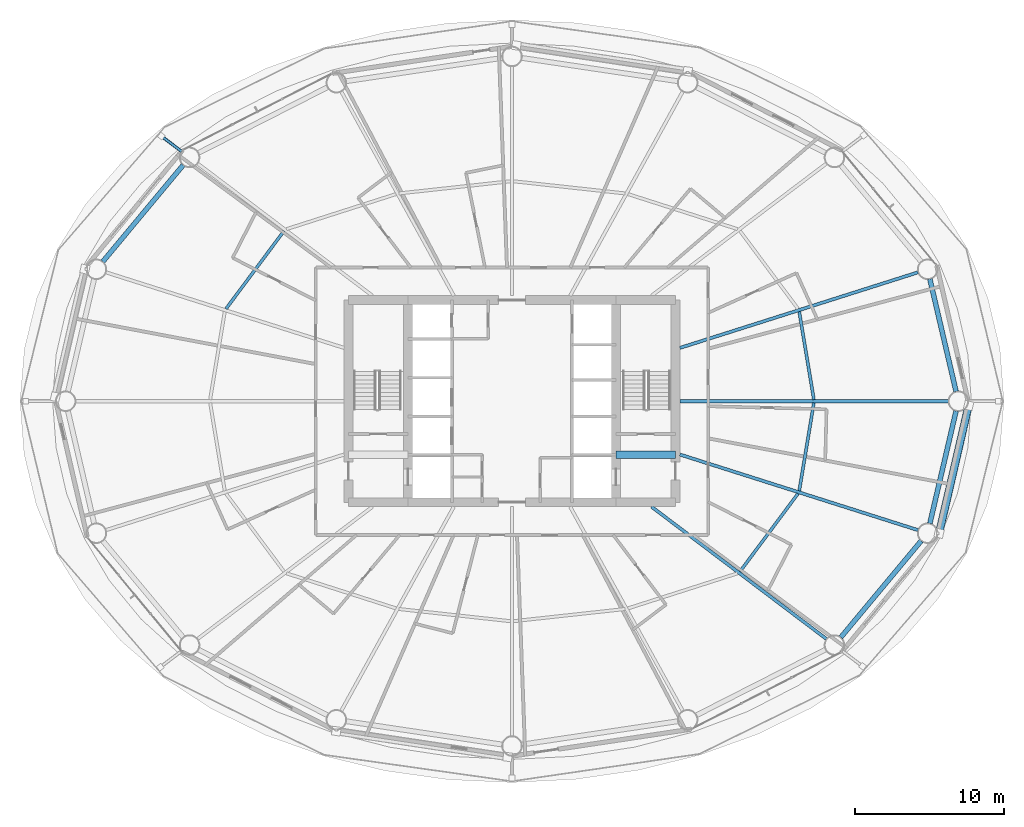
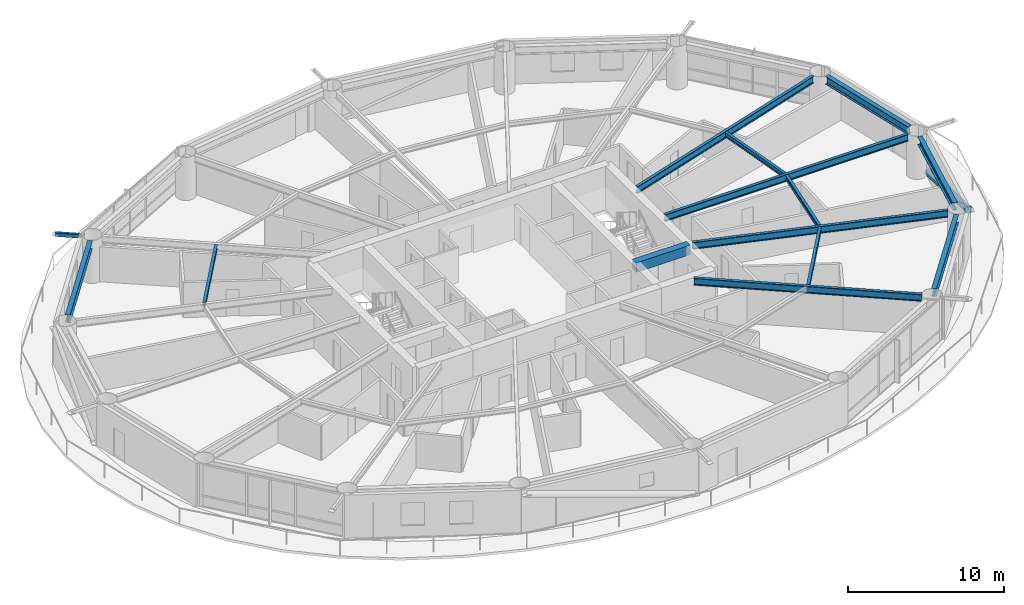
# One storey, part 9 of 26: 13 beams, 2 members.
"""IFC4 building model written with IfcOpenShell, lengths in metres."""

from ifc_helpers import new_model, si_unit, direction, frame, origin, origin_2d, place, context, subcontext, project, spatial, rectangle, hollow_rectangle, hollow_circle, i_section, extrude, material, material_profile, profile_set, type_object, element, save


model = new_model("IFC4")

# Units and contexts
model_context = context("Model", 3, precision=1e-05, world=origin(), true_north=direction((0.0, 1.0)))
body_context = subcontext(model_context, "Body", "Model", "MODEL_VIEW")
ifc_project = project(units=[si_unit("LENGTHUNIT", "METRE"), si_unit("AREAUNIT", "SQUARE_METRE"), si_unit("VOLUMEUNIT", "CUBIC_METRE"), si_unit("PLANEANGLEUNIT", "RADIAN"), si_unit("MASSUNIT", "GRAM", prefix="KILO")], contexts=[model_context])

# Site, building, storey
site_placement = place(None, origin())
site = spatial("IfcSite", under=ifc_project, at=site_placement, CompositionType="ELEMENT")
building_placement = place(site_placement, origin())
building = spatial("IfcBuilding", under=site, at=building_placement, Name="Sarneth Arch Tower", CompositionType="ELEMENT")
storey_placement = place(building_placement, frame((0.0, 0.0, 42.60009765625)))
storey = spatial("IfcBuildingStorey", under=building, at=storey_placement, Name="L09", CompositionType="ELEMENT", Elevation=42.60009765625)

# Beams
ifc_material_1 = material(Name="Steel S355", Category="steel")
ifc_material_profile_1 = material_profile(ifc_material_1, i_section(OverallWidth=0.2041015625, OverallDepth=0.35009765625, WebThickness=0.008544921875, FlangeThickness=0.01513671875, FilletRadius=0.014892578125, at=origin_2d()), Name="W360x72")
ifc_profile_set_1 = profile_set([ifc_material_profile_1], Name="Steel S355")
beam_type_1 = type_object("IfcBeamType", Name="BM-JOIST-360D", PredefinedType="JOIST", material=ifc_profile_set_1)
beam_1_placement = place(storey_placement, frame((68.312255859375, 42.10546875, 3.204833984375), z_axis=(-0.163917352659, 0.986474075431, 0.0), x_axis=(-0.986474075431, -0.163917352659, 0.0)))
element("IfcBeam", 1, at=beam_1_placement, inside=storey, type_object=beam_type_1, Name="L09 Secondary floor joist 01", PredefinedType="JOIST", context=body_context, shape_type="SweptSolid", body=[
    extrude(i_section(OverallWidth=0.2041015625, OverallDepth=0.35009765625, WebThickness=0.008544921875, FlangeThickness=0.01513671875, FilletRadius=0.014892578125, at=origin_2d()), origin(), (0.0, 0.0, 1.0), 6.000732421875),
])
for number, where, z_axis, x_axis, name in (
    (2, (32.661865234375, 53.463134765625, 3.204833984375), (-0.597453564101, -0.801903509621, 0.0), (0.801903509621, -0.597453564101, 0.0), "L09 Secondary floor joist 07"),
    (3, (63.338134765625, 30.536865234375, 3.204833984375), (0.597453564101, 0.801903509621, 0.0), (-0.801903509621, 0.597453564101, 0.0), "L09 Secondary floor joist 15"),
):
    element("IfcBeam", number, at=place(storey_placement, frame(where, z_axis=z_axis, x_axis=x_axis)), inside=storey, type_object=beam_type_1, Name=name, PredefinedType="JOIST", context=body_context, shape_type="SweptSolid", body=[
        extrude(i_section(OverallWidth=0.2041015625, OverallDepth=0.35009765625, WebThickness=0.008544921875, FlangeThickness=0.01513671875, FilletRadius=0.014892578125, at=origin_2d()), origin(), (0.0, 0.0, 1.0), 6.542724609375),
    ])
beam_2_placement = place(storey_placement, frame((67.32861328125, 35.974853515625, 3.204833984375), z_axis=(0.163917352659, 0.986474075431, 0.0), x_axis=(-0.986474075431, 0.163917352659, 0.0)))
element("IfcBeam", 4, at=beam_2_placement, inside=storey, type_object=beam_type_1, Name="L09 Secondary floor joist 16", PredefinedType="JOIST", context=body_context, shape_type="SweptSolid", body=[
    extrude(i_section(OverallWidth=0.2041015625, OverallDepth=0.35009765625, WebThickness=0.008544921875, FlangeThickness=0.01513671875, FilletRadius=0.014892578125, at=origin_2d()), origin(), (0.0, 0.0, 1.0), 6.000732421875),
])
ifc_material_2 = material(Name="Concrete C50/60", Category="concrete")
ifc_material_profile_2 = material_profile(ifc_material_2, rectangle(XDim=0.5, YDim=0.75, at=origin_2d()), Name="RC-500x750")
ifc_profile_set_2 = profile_set([ifc_material_profile_2], Name="Concrete C50/60")
beam_type_2 = type_object("IfcBeamType", Name="BM-LINTEL-RC", PredefinedType="LINTEL", material=ifc_profile_set_2)
beam_3_placement = place(storey_placement, frame((55.0, 38.39990234375, 3.0048828125), z_axis=(1.0, 0.0, 0.0), x_axis=(0.0, 1.0, 0.0)))
element("IfcBeam", 5, at=beam_3_placement, inside=storey, type_object=beam_type_2, Name="L09 Core coupling lintel E", PredefinedType="LINTEL", context=body_context, shape_type="SweptSolid", body=[
    extrude(rectangle(XDim=0.5, YDim=0.75, at=origin_2d()), origin(), (0.0, 0.0, 1.0), 4.0),
])
ifc_material_3 = material(Name="Steel S355", Category="steel")
ifc_material_profile_3 = material_profile(ifc_material_3, i_section(OverallWidth=0.214111328125, OverallDepth=0.549072265625, WebThickness=0.0146484375, FlangeThickness=0.023681640625, FilletRadius=0.01806640625, at=origin_2d()), Name="W530x138")
ifc_profile_set_3 = profile_set([ifc_material_profile_3], Name="Steel S355")
beam_type_3 = type_object("IfcBeamType", Name="BM-RAD-530A", PredefinedType="BEAM", material=ifc_profile_set_3)
beam_4_placement = place(storey_placement, frame((59.300048828125, 42.0, 3.10546875), z_axis=(1.0, 0.0, 0.0), x_axis=(0.0, 1.0, 0.0)))
element("IfcBeam", 6, at=beam_4_placement, inside=storey, type_object=beam_type_3, Name="L09 Radial floor girder 01", PredefinedType="BEAM", context=body_context, shape_type="SweptSolid", body=[
    extrude(i_section(OverallWidth=0.214111328125, OverallDepth=0.549072265625, WebThickness=0.0146484375, FlangeThickness=0.023681640625, FilletRadius=0.01806640625, at=origin_2d()), origin(), (0.0, 0.0, 1.0), 18.059814453125),
])
beam_5_placement = place(storey_placement, frame((59.300048828125, 45.58740234375, 3.10546875), z_axis=(0.953119945629, 0.302592744864, 0.0), x_axis=(-0.302592744864, 0.953119945629, 0.0)))
element("IfcBeam", 7, at=beam_5_placement, inside=storey, type_object=beam_type_3, Name="L09 Radial floor girder 02", PredefinedType="BEAM", context=body_context, shape_type="SweptSolid", body=[
    extrude(i_section(OverallWidth=0.214111328125, OverallDepth=0.549072265625, WebThickness=0.0146484375, FlangeThickness=0.023681640625, FilletRadius=0.01806640625, at=origin_2d()), origin(), (0.0, 0.0, 1.0), 16.810302734375),
])
beam_6_placement = place(storey_placement, frame((57.390380859375, 34.89990234375, 3.10546875), z_axis=(0.797656612852, -0.603111870198, 0.0), x_axis=(0.603111870198, 0.797656612852, 0.0)))
element("IfcBeam", 8, at=beam_6_placement, inside=storey, type_object=beam_type_3, Name="L09 Radial floor girder 15", PredefinedType="BEAM", context=body_context, shape_type="SweptSolid", body=[
    extrude(i_section(OverallWidth=0.214111328125, OverallDepth=0.549072265625, WebThickness=0.0146484375, FlangeThickness=0.023681640625, FilletRadius=0.01806640625, at=origin_2d()), origin(), (0.0, 0.0, 1.0), 14.7529296875),
])
beam_7_placement = place(storey_placement, frame((59.300048828125, 38.41259765625, 3.10546875), z_axis=(0.953119945629, -0.302592744864, 0.0), x_axis=(0.302592744864, 0.953119945629, 0.0)))
element("IfcBeam", 9, at=beam_7_placement, inside=storey, type_object=beam_type_3, Name="L09 Radial floor girder 16", PredefinedType="BEAM", context=body_context, shape_type="SweptSolid", body=[
    extrude(i_section(OverallWidth=0.214111328125, OverallDepth=0.549072265625, WebThickness=0.0146484375, FlangeThickness=0.023681640625, FilletRadius=0.01806640625, at=origin_2d()), origin(), (0.0, 0.0, 1.0), 16.810302734375),
])
ifc_material_4 = material(Name="Steel S355", Category="steel")
ifc_material_profile_4 = material_profile(ifc_material_4, i_section(OverallWidth=0.326904296875, OverallDepth=0.6220703125, WebThickness=0.015380859375, FlangeThickness=0.0244140625, FilletRadius=0.01904296875, at=origin_2d()), Name="W610x195")
ifc_profile_set_4 = profile_set([ifc_material_profile_4], Name="Steel S355")
beam_type_4 = type_object("IfcBeamType", Name="BM-SPAN-610A", PredefinedType="SPANDREL", material=ifc_profile_set_4)
beam_8_placement = place(storey_placement, frame((77.881591796875, 42.657470703125, 3.06884765625), z_axis=(-0.227001042423, 0.973894515201, 0.0), x_axis=(-0.973894515201, -0.227001042423, 0.0)))
element("IfcBeam", 10, at=beam_8_placement, inside=storey, type_object=beam_type_4, Name="L09 Perimeter spandrel beam 01", PredefinedType="SPANDREL", context=body_context, shape_type="SweptSolid", body=[
    extrude(i_section(OverallWidth=0.326904296875, OverallDepth=0.6220703125, WebThickness=0.015380859375, FlangeThickness=0.0244140625, FilletRadius=0.01904296875, at=origin_2d()), origin(), (0.0, 0.0, 1.0), 7.76611328125),
])
for number, where, z_axis, x_axis, name in (
    (11, (25.871337890625, 57.88623046875, 3.06884765625), (-0.639979646835, -0.768391860731, 0.0), (0.768391860731, -0.639979646835, 0.0), "L09 Perimeter spandrel beam 07"),
    (12, (70.128662109375, 26.11376953125, 3.06884765625), (0.639979646835, 0.768391860731, 0.0), (-0.768391860731, 0.639979646835, 0.0), "L09 Perimeter spandrel beam 15"),
):
    element("IfcBeam", number, at=place(storey_placement, frame(where, z_axis=z_axis, x_axis=x_axis)), inside=storey, type_object=beam_type_4, Name=name, PredefinedType="SPANDREL", context=body_context, shape_type="SweptSolid", body=[
        extrude(i_section(OverallWidth=0.326904296875, OverallDepth=0.6220703125, WebThickness=0.015380859375, FlangeThickness=0.0244140625, FilletRadius=0.01904296875, at=origin_2d()), origin(), (0.0, 0.0, 1.0), 8.4453125),
    ])
beam_9_placement = place(storey_placement, frame((76.11865234375, 33.779052734375, 3.06884765625), z_axis=(0.227001042423, 0.973894515201, 0.0), x_axis=(-0.973894515201, 0.227001042423, 0.0)))
element("IfcBeam", 13, at=beam_9_placement, inside=storey, type_object=beam_type_4, Name="L09 Perimeter spandrel beam 16", PredefinedType="SPANDREL", context=body_context, shape_type="SweptSolid", body=[
    extrude(i_section(OverallWidth=0.326904296875, OverallDepth=0.6220703125, WebThickness=0.015380859375, FlangeThickness=0.0244140625, FilletRadius=0.01904296875, at=origin_2d()), origin(), (0.0, 0.0, 1.0), 7.76611328125),
])

# Members
ifc_material_5 = material(Name="Steel S355", Category="steel")
ifc_material_profile_5 = material_profile(ifc_material_5, hollow_rectangle(XDim=0.199951171875, YDim=0.300048828125, WallThickness=0.012451171875, InnerFilletRadius=0.018798828125, OuterFilletRadius=0.03125, at=origin_2d()), Name="RHS300x200x12.5")
ifc_profile_set_5 = profile_set([ifc_material_profile_5], Name="Steel S355")
member_type_1 = type_object("IfcMemberType", Name="MEM-CANT-STRUT", PredefinedType="STRUT", material=ifc_profile_set_5)
member_1_placement = place(storey_placement, frame((25.764892578125, 58.81201171875, 3.219970703125), z_axis=(-0.797635768864, 0.603139436805, 0.0), x_axis=(-0.603139436805, -0.797635768864, 0.0)))
element("IfcMember", 14, at=member_1_placement, inside=storey, type_object=member_type_1, Name="L09 Balcony cantilever bracket 07", PredefinedType="STRUT", context=body_context, shape_type="SweptSolid", body=[
    extrude(hollow_rectangle(XDim=0.199951171875, YDim=0.300048828125, WallThickness=0.012451171875, InnerFilletRadius=0.018798828125, OuterFilletRadius=0.03125, at=origin_2d()), origin(), (0.0, 0.0, 1.0), 1.7021484375),
])
ifc_material_6 = material(Name="Steel S355", Category="steel")
ifc_material_profile_6 = material_profile(ifc_material_6, hollow_circle(Radius=0.25390625, WallThickness=0.01611328125, at=origin_2d()), Name="CHS508x16")
ifc_profile_set_6 = profile_set([ifc_material_profile_6], Name="Steel S355")
member_type_2 = type_object("IfcMemberType", Name="MEM-DIAG-BR1", PredefinedType="BRACE", material=ifc_profile_set_6)
member_2_placement = place(storey_placement, frame((78.725341796875, 41.707763671875, 0.02001953125), z_axis=(-0.213334102296, -0.922822074264, 0.320761562609), x_axis=(0.974304339016, -0.225235554419, 0.0)))
element("IfcMember", 15, at=member_2_placement, inside=storey, type_object=member_type_2, Name="L09 Perimeter frame diagonal 16", PredefinedType="BRACE", context=body_context, shape_type="SweptSolid", body=[
    extrude(hollow_circle(Radius=0.25390625, WallThickness=0.01611328125, at=origin_2d()), origin(), (0.0, 0.0, 1.0), 9.310791015625),
])

save(model, "model.ifc")
